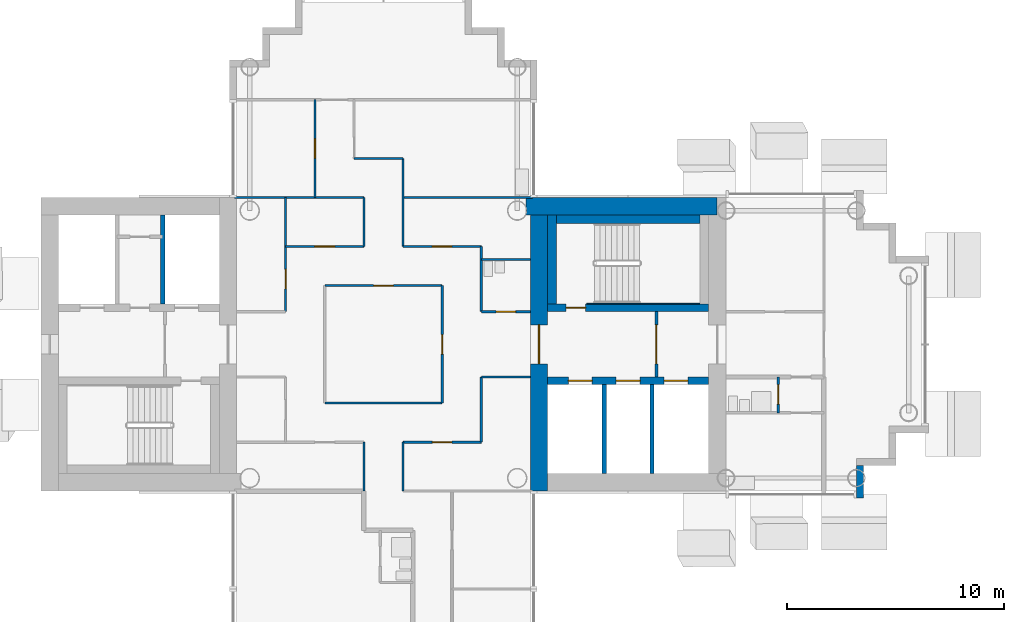
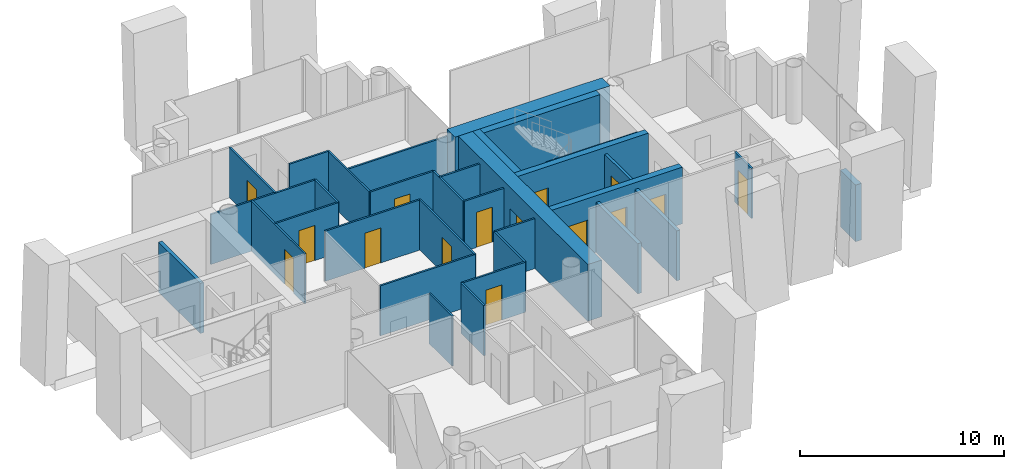
# One storey, part 7 of 18: 33 walls, 15 doors, 15 openings.
"""IFC4 building model written with IfcOpenShell, lengths in metres."""

from ifc_helpers import new_model, si_unit, direction, frame, frame_2d, origin, place, context, subcontext, project, spatial, rectangle, extrude, material, layer, layer_set, type_object, element, fill, save


model = new_model("IFC4")

# Units and contexts
model_context = context("Model", 3, precision=1e-05, world=origin(), true_north=direction((0.0, 1.0)))
body_context = subcontext(model_context, "Body", "Model", "MODEL_VIEW")
ifc_project = project(units=[si_unit("LENGTHUNIT", "METRE"), si_unit("AREAUNIT", "SQUARE_METRE"), si_unit("VOLUMEUNIT", "CUBIC_METRE"), si_unit("PLANEANGLEUNIT", "RADIAN"), si_unit("MASSUNIT", "GRAM", prefix="KILO")], contexts=[model_context])

# Site, building, storey
site_placement = place(None, origin())
site = spatial("IfcSite", under=ifc_project, at=site_placement, CompositionType="ELEMENT")
building_placement = place(site_placement, origin())
building = spatial("IfcBuilding", under=site, at=building_placement, Name="Ipe Terrace Towers", CompositionType="ELEMENT")
storey_placement = place(building_placement, frame((0.0, 0.0, 171.10009765625)))
storey = spatial("IfcBuildingStorey", under=building, at=storey_placement, Name="L47", CompositionType="ELEMENT", Elevation=171.10009765625)

# Wall
ifc_material_1 = material(Name="Concrete C40/50 with buff precast cladding", Category="concrete")
ifc_layer_1 = layer(ifc_material_1, 0.320068359375)
ifc_layer_set_1 = layer_set([ifc_layer_1], Name="BUFF CLADDING WALL 320")
wall_type_1 = type_object("IfcWallType", Name="BUFF CLADDING WALL 320", PredefinedType="STANDARD", material=ifc_layer_set_1)
wall_1_placement = place(storey_placement, frame((-14.090087890625, -7.070068359375, -0.300048828125), z_axis=(0.0, 0.0, 1.0), x_axis=(0.0, 1.0, 0.0)))
element("IfcWall", 1, at=wall_1_placement, inside=storey, type_object=wall_type_1, Name="T1-W-L47-17a wall", PredefinedType="STANDARD", context=body_context, shape_type="SweptSolid", body=[
    extrude(rectangle(XDim=1.5, YDim=0.320068359375, at=frame_2d((0.75, 0.0))), origin(), (0.0, 0.0, 1.0), 3.39990234375),
])

# Wall, opening, door
ifc_material_2 = material(Name="Gypsum board partition", Category="plasterboard")
ifc_layer_2 = layer(ifc_material_2, 0.10009765625)
ifc_layer_set_2 = layer_set([ifc_layer_2], Name="Gypsum board partition 100 mm")
wall_type_2 = type_object("IfcWallType", Name="Gypsum board partition 100 mm", PredefinedType="PARTITIONING", material=ifc_layer_set_2)
wall_2_placement = place(storey_placement, frame((-40.5, 1.5, 0.0), z_axis=(0.0, 0.0, 1.0), x_axis=(0.0, 1.0, 0.0)))
wall_2 = element("IfcWall", 2, at=wall_2_placement, inside=storey, type_object=wall_type_2, Name="Gypsum board partition T1 L47 W02", PredefinedType="PARTITIONING", context=body_context, shape_type="SweptSolid", body=[
    extrude(rectangle(XDim=5.25, YDim=0.10009765625, at=frame_2d((2.625, 0.0))), origin(), (0.0, 0.0, 1.0), 3.0),
])
opening_1_placement = place(wall_2_placement, frame((1.050048828125, 0.0, 0.0)))
opening_1 = element("IfcOpeningElement", 3, at=opening_1_placement, cuts=wall_2, Name="Opening T1-Z3F-06", PredefinedType="OPENING", context=body_context, shape_type="SweptSolid", body=[
    extrude(rectangle(XDim=0.89990234375, YDim=2.10009765625, at=frame_2d((0.449951171875, 1.050048828125))), frame((0.0, 0.06005859375, 0.0), z_axis=(0.0, -1.0, 0.0), x_axis=(1.0, 0.0, 0.0)), (0.0, 0.0, 1.0), 0.1201171875),
])
ifc_material_3 = material(Name="Timber door leaf", Category="wood")
door_type_1 = type_object("IfcDoorType", Name="Lounge door 900 x 2100", OperationType="NOTDEFINED", PredefinedType="DOOR", material=ifc_material_3)
door_1_placement = place(opening_1_placement, origin())
door_1 = element("IfcDoor", 4, at=door_1_placement, inside=storey, type_object=door_type_1, Name="Lounge door T1-Z3F-06", OperationType="SINGLE_SWING_RIGHT", OverallHeight=2.10009765625, OverallWidth=0.89990234375, PredefinedType="DOOR", context=body_context, shape_type="SweptSolid", body=[
    extrude(rectangle(XDim=0.89990234375, YDim=2.10009765625, at=frame_2d((0.449951171875, 1.050048828125))), frame((0.0, 0.02490234375, 0.0), z_axis=(0.0, -1.0, 0.0), x_axis=(1.0, 0.0, 0.0)), (0.0, 0.0, 1.0), 0.050048828125),
])
fill(opening_1, door_1)

wall_3_placement = place(storey_placement, frame((-39.14990234375, 6.75, 0.0), z_axis=(0.0, 0.0, 1.0), x_axis=(0.0, 1.0, 0.0)))
wall_3 = element("IfcWall", 5, at=wall_3_placement, inside=storey, type_object=wall_type_2, Name="Gypsum board partition T1 L47 W03", PredefinedType="PARTITIONING", context=body_context, shape_type="SweptSolid", body=[
    extrude(rectangle(XDim=4.5, YDim=0.10009765625, at=frame_2d((2.25, 0.0))), origin(), (0.0, 0.0, 1.0), 3.0),
])
opening_2_placement = place(wall_3_placement, frame((1.800048828125, 0.0, 0.0)))
opening_2 = element("IfcOpeningElement", 6, at=opening_2_placement, cuts=wall_3, Name="Opening T1-Z3F-10", PredefinedType="OPENING", context=body_context, shape_type="SweptSolid", body=[
    extrude(rectangle(XDim=0.89990234375, YDim=2.10009765625, at=frame_2d((0.449951171875, 1.050048828125))), frame((0.0, 0.06005859375, 0.0), z_axis=(0.0, -1.0, 0.0), x_axis=(1.0, 0.0, 0.0)), (0.0, 0.0, 1.0), 0.1201171875),
])
door_2_placement = place(opening_2_placement, origin())
door_2 = element("IfcDoor", 7, at=door_2_placement, inside=storey, type_object=door_type_1, Name="Lounge door T1-Z3F-10", OperationType="SINGLE_SWING_LEFT", OverallHeight=2.10009765625, OverallWidth=0.89990234375, PredefinedType="DOOR", context=body_context, shape_type="SweptSolid", body=[
    extrude(rectangle(XDim=0.89990234375, YDim=2.10009765625, at=frame_2d((0.449951171875, 1.050048828125))), frame((0.0, 0.02490234375, 0.0), z_axis=(0.0, -1.0, 0.0), x_axis=(1.0, 0.0, 0.0)), (0.0, 0.0, 1.0), 0.050048828125),
])
fill(opening_2, door_2)

# Walls
for number, where, z_axis, x_axis, name in (
    (8, (-36.89990234375, -6.75, 0.0), (0.0, 0.0, 1.0), (0.0, 1.0, 0.0), "Gypsum board partition T1 L47 W06"),
    (9, (-36.89990234375, 4.5, 0.0), (0.0, 0.0, 1.0), (0.0, 1.0, 0.0), "Gypsum board partition T1 L47 W07"),
    (10, (-35.10009765625, -6.75, 0.0), (0.0, 0.0, 1.0), (0.0, 1.0, 0.0), "Gypsum board partition T1 L47 W10"),
):
    element("IfcWall", number, at=place(storey_placement, frame(where, z_axis=z_axis, x_axis=x_axis)), inside=storey, type_object=wall_type_2, Name=name, PredefinedType="PARTITIONING", context=body_context, shape_type="SweptSolid", body=[
        extrude(rectangle(XDim=2.25, YDim=0.10009765625, at=frame_2d((1.125, 0.0))), origin(), (0.0, 0.0, 1.0), 3.0),
    ])
wall_4_placement = place(storey_placement, frame((-35.10009765625, 4.5, 0.0), z_axis=(0.0, 0.0, 1.0), x_axis=(0.0, 1.0, 0.0)))
element("IfcWall", 11, at=wall_4_placement, inside=storey, type_object=wall_type_2, Name="Gypsum board partition T1 L47 W11", PredefinedType="PARTITIONING", context=body_context, shape_type="SweptSolid", body=[
    extrude(rectangle(XDim=4.050048828125, YDim=0.10009765625, at=frame_2d((2.02490234375, 0.0))), origin(), (0.0, 0.0, 1.0), 3.0),
])

# Wall, opening, door
wall_5_placement = place(storey_placement, frame((-33.300048828125, -2.699951171875, 0.0), z_axis=(0.0, 0.0, 1.0), x_axis=(0.0, 1.0, 0.0)))
wall_5 = element("IfcWall", 12, at=wall_5_placement, inside=storey, type_object=wall_type_2, Name="Gypsum board partition T1 L47 W13", PredefinedType="PARTITIONING", context=body_context, shape_type="SweptSolid", body=[
    extrude(rectangle(XDim=5.39990234375, YDim=0.10009765625, at=frame_2d((2.699951171875, 0.0))), origin(), (0.0, 0.0, 1.0), 3.0),
])
opening_3_placement = place(wall_5_placement, frame((2.25, 0.0, 0.0)))
opening_3 = element("IfcOpeningElement", 13, at=opening_3_placement, cuts=wall_5, Name="Opening T1-Z3F-02", PredefinedType="OPENING", context=body_context, shape_type="SweptSolid", body=[
    extrude(rectangle(XDim=0.89990234375, YDim=2.10009765625, at=frame_2d((0.449951171875, 1.050048828125))), frame((0.0, 0.06005859375, 0.0), z_axis=(0.0, -1.0, 0.0), x_axis=(1.0, 0.0, 0.0)), (0.0, 0.0, 1.0), 0.1201171875),
])
door_3_placement = place(opening_3_placement, origin())
door_3 = element("IfcDoor", 14, at=door_3_placement, inside=storey, type_object=door_type_1, Name="Lounge door T1-Z3F-02", OperationType="SINGLE_SWING_LEFT", OverallHeight=2.10009765625, OverallWidth=0.89990234375, PredefinedType="DOOR", context=body_context, shape_type="SweptSolid", body=[
    extrude(rectangle(XDim=0.89990234375, YDim=2.10009765625, at=frame_2d((0.449951171875, 1.050048828125))), frame((0.0, 0.02490234375, 0.0), z_axis=(0.0, -1.0, 0.0), x_axis=(1.0, 0.0, 0.0)), (0.0, 0.0, 1.0), 0.050048828125),
])
fill(opening_3, door_3)

# Walls
for number, where, z_axis, x_axis, name in (
    (15, (-31.5, -4.5, 0.0), (0.0, 0.0, 1.0), (0.0, 1.0, 0.0), "Gypsum board partition T1 L47 W15"),
    (16, (-31.5, 1.5, 0.0), (0.0, 0.0, 1.0), (0.0, 1.0, 0.0), "Gypsum board partition T1 L47 W16"),
):
    element("IfcWall", number, at=place(storey_placement, frame(where, z_axis=z_axis, x_axis=x_axis)), inside=storey, type_object=wall_type_2, Name=name, PredefinedType="PARTITIONING", context=body_context, shape_type="SweptSolid", body=[
        extrude(rectangle(XDim=3.0, YDim=0.10009765625, at=frame_2d((1.5, 0.0))), origin(), (0.0, 0.0, 1.0), 3.0),
    ])

# Wall, opening, door
wall_6_placement = place(storey_placement, frame((-17.85009765625, -3.14990234375, 0.0), z_axis=(0.0, 0.0, 1.0), x_axis=(0.0, 1.0, 0.0)))
wall_6 = element("IfcWall", 17, at=wall_6_placement, inside=storey, type_object=wall_type_2, Name="Gypsum board partition T1 L47 W17", PredefinedType="PARTITIONING", context=body_context, shape_type="SweptSolid", body=[
    extrude(rectangle(XDim=1.64990234375, YDim=0.10009765625, at=frame_2d((0.824951171875, 0.0))), origin(), (0.0, 0.0, 1.0), 3.0),
])
opening_4_placement = place(wall_6_placement, frame((0.39990234375, 0.0, 0.0)))
opening_4 = element("IfcOpeningElement", 18, at=opening_4_placement, cuts=wall_6, Name="Opening T1-Z3F-21", PredefinedType="OPENING", context=body_context, shape_type="SweptSolid", body=[
    extrude(rectangle(XDim=0.89990234375, YDim=2.10009765625, at=frame_2d((0.449951171875, 1.050048828125))), frame((0.0, 0.06005859375, 0.0), z_axis=(0.0, -1.0, 0.0), x_axis=(1.0, 0.0, 0.0)), (0.0, 0.0, 1.0), 0.1201171875),
])
ifc_material_4 = material(Name="Timber door leaf", Category="wood")
door_type_2 = type_object("IfcDoorType", Name="Bathroom door 900 x 2100", OperationType="NOTDEFINED", PredefinedType="DOOR", material=ifc_material_4)
door_4_placement = place(opening_4_placement, origin())
door_4 = element("IfcDoor", 19, at=door_4_placement, inside=storey, type_object=door_type_2, Name="Bathroom door T1-Z3F-21", OperationType="SINGLE_SWING_LEFT", OverallHeight=2.10009765625, OverallWidth=0.89990234375, PredefinedType="DOOR", context=body_context, shape_type="SweptSolid", body=[
    extrude(rectangle(XDim=0.89990234375, YDim=2.10009765625, at=frame_2d((0.449951171875, 1.050048828125))), frame((0.0, 0.02490234375, 0.0), z_axis=(0.0, -1.0, 0.0), x_axis=(1.0, 0.0, 0.0)), (0.0, 0.0, 1.0), 0.050048828125),
])
fill(opening_4, door_4)

wall_7_placement = place(storey_placement, frame((-35.10009765625, -4.5, 0.0), z_axis=(0.0, 0.0, 1.0), x_axis=(1.0, 0.0, 0.0)))
wall_7 = element("IfcWall", 20, at=wall_7_placement, inside=storey, type_object=wall_type_2, Name="Gypsum board partition T1 L47 W28", PredefinedType="PARTITIONING", context=body_context, shape_type="SweptSolid", body=[
    extrude(rectangle(XDim=3.60009765625, YDim=0.10009765625, at=frame_2d((1.800048828125, 0.0))), origin(), (0.0, 0.0, 1.0), 3.0),
])
opening_5_placement = place(wall_7_placement, frame((1.35009765625, 0.0, 0.0)))
opening_5 = element("IfcOpeningElement", 21, at=opening_5_placement, cuts=wall_7, Name="Opening T1-Z3F-09", PredefinedType="OPENING", context=body_context, shape_type="SweptSolid", body=[
    extrude(rectangle(XDim=0.89990234375, YDim=2.10009765625, at=frame_2d((0.449951171875, 1.050048828125))), frame((0.0, 0.06005859375, 0.0), z_axis=(0.0, -1.0, 0.0), x_axis=(1.0, 0.0, 0.0)), (0.0, 0.0, 1.0), 0.1201171875),
])
door_5_placement = place(opening_5_placement, origin())
door_5 = element("IfcDoor", 22, at=door_5_placement, inside=storey, type_object=door_type_1, Name="Lounge door T1-Z3F-09", OperationType="SINGLE_SWING_LEFT", OverallHeight=2.10009765625, OverallWidth=0.89990234375, PredefinedType="DOOR", context=body_context, shape_type="SweptSolid", body=[
    extrude(rectangle(XDim=0.89990234375, YDim=2.10009765625, at=frame_2d((0.449951171875, 1.050048828125))), frame((0.0, 0.02490234375, 0.0), z_axis=(0.0, -1.0, 0.0), x_axis=(1.0, 0.0, 0.0)), (0.0, 0.0, 1.0), 0.050048828125),
])
fill(opening_5, door_5)

# Walls
wall_8_placement = place(storey_placement, frame((-38.699951171875, -2.699951171875, 0.0), z_axis=(0.0, 0.0, 1.0), x_axis=(1.0, 0.0, 0.0)))
element("IfcWall", 23, at=wall_8_placement, inside=storey, type_object=wall_type_2, Name="Gypsum board partition T1 L47 W30", PredefinedType="PARTITIONING", context=body_context, shape_type="SweptSolid", body=[
    extrude(rectangle(XDim=5.39990234375, YDim=0.10009765625, at=frame_2d((2.699951171875, 0.0))), origin(), (0.0, 0.0, 1.0), 3.0),
])
wall_9_placement = place(storey_placement, frame((-31.5, -1.5, 0.0), z_axis=(0.0, 0.0, 1.0), x_axis=(1.0, 0.0, 0.0)))
element("IfcWall", 24, at=wall_9_placement, inside=storey, type_object=wall_type_2, Name="Gypsum board partition T1 L47 W32", PredefinedType="PARTITIONING", context=body_context, shape_type="SweptSolid", body=[
    extrude(rectangle(XDim=2.25, YDim=0.10009765625, at=frame_2d((1.125, 0.0))), origin(), (0.0, 0.0, 1.0), 3.0),
])

# Wall, opening, door
wall_10_placement = place(storey_placement, frame((-31.5, 1.5, 0.0), z_axis=(0.0, 0.0, 1.0), x_axis=(1.0, 0.0, 0.0)))
wall_10 = element("IfcWall", 25, at=wall_10_placement, inside=storey, type_object=wall_type_2, Name="Gypsum board partition T1 L47 W35", PredefinedType="PARTITIONING", context=body_context, shape_type="SweptSolid", body=[
    extrude(rectangle(XDim=2.25, YDim=0.10009765625, at=frame_2d((1.125, 0.0))), origin(), (0.0, 0.0, 1.0), 3.0),
])
opening_6_placement = place(wall_10_placement, frame((0.675048828125, 0.0, 0.0)))
opening_6 = element("IfcOpeningElement", 26, at=opening_6_placement, cuts=wall_10, Name="Opening T1-Z3F-03", PredefinedType="OPENING", context=body_context, shape_type="SweptSolid", body=[
    extrude(rectangle(XDim=0.89990234375, YDim=2.10009765625, at=frame_2d((0.449951171875, 1.050048828125))), frame((0.0, 0.06005859375, 0.0), z_axis=(0.0, -1.0, 0.0), x_axis=(1.0, 0.0, 0.0)), (0.0, 0.0, 1.0), 0.1201171875),
])
door_6_placement = place(opening_6_placement, origin())
door_6 = element("IfcDoor", 27, at=door_6_placement, inside=storey, type_object=door_type_2, Name="Bathroom door T1-Z3F-03", OperationType="SINGLE_SWING_LEFT", OverallHeight=2.10009765625, OverallWidth=0.89990234375, PredefinedType="DOOR", context=body_context, shape_type="SweptSolid", body=[
    extrude(rectangle(XDim=0.89990234375, YDim=2.10009765625, at=frame_2d((0.449951171875, 1.050048828125))), frame((0.0, 0.02490234375, 0.0), z_axis=(0.0, -1.0, 0.0), x_axis=(1.0, 0.0, 0.0)), (0.0, 0.0, 1.0), 0.050048828125),
])
fill(opening_6, door_6)

wall_11_placement = place(storey_placement, frame((-38.699951171875, 2.699951171875, 0.0), z_axis=(0.0, 0.0, 1.0), x_axis=(1.0, 0.0, 0.0)))
wall_11 = element("IfcWall", 28, at=wall_11_placement, inside=storey, type_object=wall_type_2, Name="Gypsum board partition T1 L47 W37", PredefinedType="PARTITIONING", context=body_context, shape_type="SweptSolid", body=[
    extrude(rectangle(XDim=5.39990234375, YDim=0.10009765625, at=frame_2d((2.699951171875, 0.0))), origin(), (0.0, 0.0, 1.0), 3.0),
])
opening_7_placement = place(wall_11_placement, frame((2.25, 0.0, 0.0)))
opening_7 = element("IfcOpeningElement", 29, at=opening_7_placement, cuts=wall_11, Name="Opening T1-Z3F-01", PredefinedType="OPENING", context=body_context, shape_type="SweptSolid", body=[
    extrude(rectangle(XDim=0.89990234375, YDim=2.10009765625, at=frame_2d((0.449951171875, 1.050048828125))), frame((0.0, 0.06005859375, 0.0), z_axis=(0.0, -1.0, 0.0), x_axis=(1.0, 0.0, 0.0)), (0.0, 0.0, 1.0), 0.1201171875),
])
door_7_placement = place(opening_7_placement, origin())
door_7 = element("IfcDoor", 30, at=door_7_placement, inside=storey, type_object=door_type_1, Name="Lounge door T1-Z3F-01", OperationType="SINGLE_SWING_RIGHT", OverallHeight=2.10009765625, OverallWidth=0.89990234375, PredefinedType="DOOR", context=body_context, shape_type="SweptSolid", body=[
    extrude(rectangle(XDim=0.89990234375, YDim=2.10009765625, at=frame_2d((0.449951171875, 1.050048828125))), frame((0.0, 0.02490234375, 0.0), z_axis=(0.0, -1.0, 0.0), x_axis=(1.0, 0.0, 0.0)), (0.0, 0.0, 1.0), 0.050048828125),
])
fill(opening_7, door_7)

# Wall
wall_12_placement = place(storey_placement, frame((-31.5, 3.89990234375, 0.0), z_axis=(0.0, 0.0, 1.0), x_axis=(1.0, 0.0, 0.0)))
element("IfcWall", 31, at=wall_12_placement, inside=storey, type_object=wall_type_2, Name="Gypsum board partition T1 L47 W38", PredefinedType="PARTITIONING", context=body_context, shape_type="SweptSolid", body=[
    extrude(rectangle(XDim=2.25, YDim=0.10009765625, at=frame_2d((1.125, 0.0))), origin(), (0.0, 0.0, 1.0), 3.0),
])

# Wall, opening, door
wall_13_placement = place(storey_placement, frame((-40.5, 4.5, 0.0), z_axis=(0.0, 0.0, 1.0), x_axis=(1.0, 0.0, 0.0)))
wall_13 = element("IfcWall", 32, at=wall_13_placement, inside=storey, type_object=wall_type_2, Name="Gypsum board partition T1 L47 W39", PredefinedType="PARTITIONING", context=body_context, shape_type="SweptSolid", body=[
    extrude(rectangle(XDim=3.60009765625, YDim=0.10009765625, at=frame_2d((1.800048828125, 0.0))), origin(), (0.0, 0.0, 1.0), 3.0),
])
opening_8_placement = place(wall_13_placement, frame((1.35009765625, 0.0, 0.0)))
opening_8 = element("IfcOpeningElement", 33, at=opening_8_placement, cuts=wall_13, Name="Opening T1-Z3F-05", PredefinedType="OPENING", context=body_context, shape_type="SweptSolid", body=[
    extrude(rectangle(XDim=0.89990234375, YDim=2.10009765625, at=frame_2d((0.449951171875, 1.050048828125))), frame((0.0, 0.06005859375, 0.0), z_axis=(0.0, -1.0, 0.0), x_axis=(1.0, 0.0, 0.0)), (0.0, 0.0, 1.0), 0.1201171875),
])
door_8_placement = place(opening_8_placement, origin())
door_8 = element("IfcDoor", 34, at=door_8_placement, inside=storey, type_object=door_type_1, Name="Lounge door T1-Z3F-05", OperationType="SINGLE_SWING_RIGHT", OverallHeight=2.10009765625, OverallWidth=0.89990234375, PredefinedType="DOOR", context=body_context, shape_type="SweptSolid", body=[
    extrude(rectangle(XDim=0.89990234375, YDim=2.10009765625, at=frame_2d((0.449951171875, 1.050048828125))), frame((0.0, 0.02490234375, 0.0), z_axis=(0.0, -1.0, 0.0), x_axis=(1.0, 0.0, 0.0)), (0.0, 0.0, 1.0), 0.050048828125),
])
fill(opening_8, door_8)

wall_14_placement = place(storey_placement, frame((-35.10009765625, 4.5, 0.0), z_axis=(0.0, 0.0, 1.0), x_axis=(1.0, 0.0, 0.0)))
wall_14 = element("IfcWall", 35, at=wall_14_placement, inside=storey, type_object=wall_type_2, Name="Gypsum board partition T1 L47 W40", PredefinedType="PARTITIONING", context=body_context, shape_type="SweptSolid", body=[
    extrude(rectangle(XDim=3.60009765625, YDim=0.10009765625, at=frame_2d((1.800048828125, 0.0))), origin(), (0.0, 0.0, 1.0), 3.0),
])
opening_9_placement = place(wall_14_placement, frame((1.35009765625, 0.0, 0.0)))
opening_9 = element("IfcOpeningElement", 36, at=opening_9_placement, cuts=wall_14, Name="Opening T1-Z3F-04", PredefinedType="OPENING", context=body_context, shape_type="SweptSolid", body=[
    extrude(rectangle(XDim=0.89990234375, YDim=2.10009765625, at=frame_2d((0.449951171875, 1.050048828125))), frame((0.0, 0.06005859375, 0.0), z_axis=(0.0, -1.0, 0.0), x_axis=(1.0, 0.0, 0.0)), (0.0, 0.0, 1.0), 0.1201171875),
])
door_9_placement = place(opening_9_placement, origin())
door_9 = element("IfcDoor", 37, at=door_9_placement, inside=storey, type_object=door_type_1, Name="Lounge door T1-Z3F-04", OperationType="SINGLE_SWING_LEFT", OverallHeight=2.10009765625, OverallWidth=0.89990234375, PredefinedType="DOOR", context=body_context, shape_type="SweptSolid", body=[
    extrude(rectangle(XDim=0.89990234375, YDim=2.10009765625, at=frame_2d((0.449951171875, 1.050048828125))), frame((0.0, 0.02490234375, 0.0), z_axis=(0.0, -1.0, 0.0), x_axis=(1.0, 0.0, 0.0)), (0.0, 0.0, 1.0), 0.050048828125),
])
fill(opening_9, door_9)

# Walls
for number, where, z_axis, x_axis, name in (
    (38, (-42.85009765625, 6.75, 0.0), (0.0, 0.0, 1.0), (1.0, 0.0, 0.0), "Gypsum board partition T1 L47 W41"),
    (39, (-35.10009765625, 6.75, 0.0), (0.0, 0.0, 1.0), (1.0, 0.0, 0.0), "Gypsum board partition T1 L47 W42"),
):
    element("IfcWall", number, at=place(storey_placement, frame(where, z_axis=z_axis, x_axis=x_axis)), inside=storey, type_object=wall_type_2, Name=name, PredefinedType="PARTITIONING", context=body_context, shape_type="SweptSolid", body=[
        extrude(rectangle(XDim=5.9501953125, YDim=0.10009765625, at=frame_2d((2.97509765625, 0.0))), origin(), (0.0, 0.0, 1.0), 3.0),
    ])
wall_15_placement = place(storey_placement, frame((-37.35009765625, 8.550048828125, 0.0), z_axis=(0.0, 0.0, 1.0), x_axis=(1.0, 0.0, 0.0)))
element("IfcWall", 40, at=wall_15_placement, inside=storey, type_object=wall_type_2, Name="Gypsum board partition T1 L47 W43", PredefinedType="PARTITIONING", context=body_context, shape_type="SweptSolid", body=[
    extrude(rectangle(XDim=2.25, YDim=0.10009765625, at=frame_2d((1.125, 0.0))), origin(), (0.0, 0.0, 1.0), 3.0),
])

# Wall, opening, door
ifc_material_5 = material(Name="Gypsum board partition", Category="plasterboard")
ifc_layer_3 = layer(ifc_material_5, 0.14990234375)
ifc_layer_set_3 = layer_set([ifc_layer_3], Name="Gypsum board partition 150 mm")
wall_type_3 = type_object("IfcWallType", Name="Gypsum board partition 150 mm", PredefinedType="PARTITIONING", material=ifc_layer_set_3)
wall_16_placement = place(storey_placement, frame((-23.449951171875, -1.5, 0.0), z_axis=(0.0, 0.0, 1.0), x_axis=(0.0, 1.0, 0.0)))
wall_16 = element("IfcWall", 41, at=wall_16_placement, inside=storey, type_object=wall_type_3, Name="Gypsum board partition T1 L47 t1c1-lobby-wall", PredefinedType="PARTITIONING", context=body_context, shape_type="SweptSolid", body=[
    extrude(rectangle(XDim=3.0, YDim=0.14990234375, at=frame_2d((1.5, 0.0))), origin(), (0.0, 0.0, 1.0), 3.0),
])
opening_10_placement = place(wall_16_placement, frame((0.60009765625, 0.0, 0.0)))
opening_10 = element("IfcOpeningElement", 42, at=opening_10_placement, cuts=wall_16, Name="Opening T1C1-VD", PredefinedType="OPENING", context=body_context, shape_type="SweptSolid", body=[
    extrude(rectangle(XDim=1.800048828125, YDim=2.10009765625, at=frame_2d((0.89990234375, 1.050048828125))), frame((0.0, 0.0849609375, 0.0), z_axis=(0.0, -1.0, 0.0), x_axis=(1.0, 0.0, 0.0)), (0.0, 0.0, 1.0), 0.169921875),
])
ifc_material_6 = material(Name="Fire-rated timber door leaf", Category="wood")
door_type_3 = type_object("IfcDoorType", Name="Lobby door 1800 x 2100 FD60", OperationType="NOTDEFINED", PredefinedType="DOOR", material=ifc_material_6)
door_10_placement = place(opening_10_placement, origin())
door_10 = element("IfcDoor", 43, at=door_10_placement, inside=storey, type_object=door_type_3, Name="Lobby door T1C1-VD", OperationType="SINGLE_SWING_LEFT", OverallHeight=2.10009765625, OverallWidth=1.800048828125, PredefinedType="DOOR", context=body_context, shape_type="SweptSolid", body=[
    extrude(rectangle(XDim=1.800048828125, YDim=2.10009765625, at=frame_2d((0.89990234375, 1.050048828125))), frame((0.0, 0.02490234375, 0.0), z_axis=(0.0, -1.0, 0.0), x_axis=(1.0, 0.0, 0.0)), (0.0, 0.0, 1.0), 0.050048828125),
])
fill(opening_10, door_10)

# Walls
ifc_material_7 = material(Name="Gypsum board party wall", Category="plasterboard")
ifc_layer_4 = layer(ifc_material_7, 0.199951171875)
ifc_layer_set_4 = layer_set([ifc_layer_4], Name="Gypsum board party wall 200 mm")
wall_type_4 = type_object("IfcWallType", Name="Gypsum board party wall 200 mm", PredefinedType="SOLIDWALL", material=ifc_layer_set_4)
for number, where, z_axis, x_axis, name in (
    (44, (-25.85009765625, -5.949951171875, 0.0), (0.0, 0.0, 1.0), (0.0, 1.0, 0.0), "Gypsum board party wall T1 L47 t1c1-shaft-div1"),
    (45, (-23.64990234375, -5.949951171875, 0.0), (0.0, 0.0, 1.0), (0.0, 1.0, 0.0), "Gypsum board party wall T1 L47 t1c1-shaft-div2"),
    (46, (-46.14990234375, 5.949951171875, 0.0), (0.0, 0.0, 1.0), (0.0, -1.0, 0.0), "Gypsum board party wall T1 L47 t1c2-shaft-div1"),
):
    element("IfcWall", number, at=place(storey_placement, frame(where, z_axis=z_axis, x_axis=x_axis)), inside=storey, type_object=wall_type_4, Name=name, PredefinedType="SOLIDWALL", context=body_context, shape_type="SweptSolid", body=[
        extrude(rectangle(XDim=4.099853515625, YDim=0.199951171875, at=frame_2d((2.0498046875, 0.0))), origin(), (0.0, 0.0, 1.0), 3.0),
    ])

# Wall, openings, doors
ifc_material_8 = material(Name="Concrete C50/60", Category="concrete")
ifc_layer_5 = layer(ifc_material_8, 0.35009765625)
ifc_layer_set_5 = layer_set([ifc_layer_5], Name="RW350 CORE SPINE WALL 350 C50-60")
wall_type_5 = type_object("IfcWallType", Name="RW350 CORE SPINE WALL 350 C50-60", PredefinedType="SHEAR", material=ifc_layer_set_5)
wall_17_placement = place(storey_placement, frame((-28.449951171875, -1.675048828125, 0.0), z_axis=(0.0, 0.0, 1.0), x_axis=(1.0, 0.0, 0.0)))
wall_17 = element("IfcWall", 47, at=wall_17_placement, inside=storey, type_object=wall_type_5, Name="Core spine wall T1-C1-Z3-SW1", PredefinedType="SHEAR", context=body_context, shape_type="SweptSolid", body=[
    extrude(rectangle(XDim=7.39990234375, YDim=0.35009765625, at=frame_2d((3.699951171875, 0.0))), origin(), (0.0, 0.0, 1.0), 3.39990234375),
])
opening_11_placement = place(wall_17_placement, frame((0.949951171875, 0.0, 0.0)))
opening_11 = element("IfcOpeningElement", 48, at=opening_11_placement, cuts=wall_17, Name="Opening T1C1-LD1", PredefinedType="OPENING", context=body_context, shape_type="SweptSolid", body=[
    extrude(rectangle(XDim=1.10009765625, YDim=2.10009765625, at=frame_2d((0.550048828125, 1.050048828125))), frame((0.0, 0.18505859375, 0.0), z_axis=(0.0, -1.0, 0.0), x_axis=(1.0, 0.0, 0.0)), (0.0, 0.0, 1.0), 0.3701171875),
])
opening_12_placement = place(wall_17_placement, frame((3.14990234375, 0.0, 0.0)))
opening_12 = element("IfcOpeningElement", 49, at=opening_12_placement, cuts=wall_17, Name="Opening T1C1-LD2", PredefinedType="OPENING", context=body_context, shape_type="SweptSolid", body=[
    extrude(rectangle(XDim=1.10009765625, YDim=2.10009765625, at=frame_2d((0.550048828125, 1.050048828125))), frame((0.0, 0.18505859375, 0.0), z_axis=(0.0, -1.0, 0.0), x_axis=(1.0, 0.0, 0.0)), (0.0, 0.0, 1.0), 0.3701171875),
])
opening_13_placement = place(wall_17_placement, frame((5.35009765625, 0.0, 0.0)))
opening_13 = element("IfcOpeningElement", 50, at=opening_13_placement, cuts=wall_17, Name="Opening T1C1-LD3", PredefinedType="OPENING", context=body_context, shape_type="SweptSolid", body=[
    extrude(rectangle(XDim=1.10009765625, YDim=2.10009765625, at=frame_2d((0.550048828125, 1.050048828125))), frame((0.0, 0.18505859375, 0.0), z_axis=(0.0, -1.0, 0.0), x_axis=(1.0, 0.0, 0.0)), (0.0, 0.0, 1.0), 0.3701171875),
])
ifc_material_9 = material(Name="Fire-rated timber door leaf", Category="wood")
door_type_4 = type_object("IfcDoorType", Name="Sliding door 1100 x 2100 FD60", OperationType="SLIDING_TO_LEFT", PredefinedType="DOOR", material=ifc_material_9)
door_11_placement = place(opening_11_placement, origin())
door_11 = element("IfcDoor", 51, at=door_11_placement, inside=storey, type_object=door_type_4, Name="Sliding door T1C1-LD1", OperationType="SLIDING_TO_LEFT", OverallHeight=2.10009765625, OverallWidth=1.10009765625, PredefinedType="DOOR", context=body_context, shape_type="SweptSolid", body=[
    extrude(rectangle(XDim=1.10009765625, YDim=2.10009765625, at=frame_2d((0.550048828125, 1.050048828125))), frame((0.0, 0.02490234375, 0.0), z_axis=(0.0, -1.0, 0.0), x_axis=(1.0, 0.0, 0.0)), (0.0, 0.0, 1.0), 0.050048828125),
])
fill(opening_11, door_11)
door_12_placement = place(opening_12_placement, origin())
door_12 = element("IfcDoor", 52, at=door_12_placement, inside=storey, type_object=door_type_4, Name="Sliding door T1C1-LD2", OperationType="SLIDING_TO_LEFT", OverallHeight=2.10009765625, OverallWidth=1.10009765625, PredefinedType="DOOR", context=body_context, shape_type="SweptSolid", body=[
    extrude(rectangle(XDim=1.10009765625, YDim=2.10009765625, at=frame_2d((0.550048828125, 1.050048828125))), frame((0.0, 0.02490234375, 0.0), z_axis=(0.0, -1.0, 0.0), x_axis=(1.0, 0.0, 0.0)), (0.0, 0.0, 1.0), 0.050048828125),
])
fill(opening_12, door_12)
door_13_placement = place(opening_13_placement, origin())
door_13 = element("IfcDoor", 53, at=door_13_placement, inside=storey, type_object=door_type_4, Name="Sliding door T1C1-LD3", OperationType="SLIDING_TO_LEFT", OverallHeight=2.10009765625, OverallWidth=1.10009765625, PredefinedType="DOOR", context=body_context, shape_type="SweptSolid", body=[
    extrude(rectangle(XDim=1.10009765625, YDim=2.10009765625, at=frame_2d((0.550048828125, 1.050048828125))), frame((0.0, 0.02490234375, 0.0), z_axis=(0.0, -1.0, 0.0), x_axis=(1.0, 0.0, 0.0)), (0.0, 0.0, 1.0), 0.050048828125),
])
fill(opening_13, door_13)

# Wall, opening, door
wall_18_placement = place(storey_placement, frame((-28.449951171875, 1.675048828125, 0.0), z_axis=(0.0, 0.0, 1.0), x_axis=(1.0, 0.0, 0.0)))
wall_18 = element("IfcWall", 54, at=wall_18_placement, inside=storey, type_object=wall_type_5, Name="Core spine wall T1-C1-Z3-SW2", PredefinedType="SHEAR", context=body_context, shape_type="SweptSolid", body=[
    extrude(rectangle(XDim=7.39990234375, YDim=0.35009765625, at=frame_2d((3.699951171875, 0.0))), origin(), (0.0, 0.0, 1.0), 3.39990234375),
])
opening_14_placement = place(wall_18_placement, frame((0.85009765625, 0.0, 0.0)))
opening_14 = element("IfcOpeningElement", 55, at=opening_14_placement, cuts=wall_18, Name="Opening T1C1-SD", PredefinedType="OPENING", context=body_context, shape_type="SweptSolid", body=[
    extrude(rectangle(XDim=0.89990234375, YDim=2.10009765625, at=frame_2d((0.449951171875, 1.050048828125))), frame((0.0, 0.18505859375, 0.0), z_axis=(0.0, -1.0, 0.0), x_axis=(1.0, 0.0, 0.0)), (0.0, 0.0, 1.0), 0.3701171875),
])
ifc_material_10 = material(Name="Fire-rated timber door leaf", Category="wood")
door_type_5 = type_object("IfcDoorType", Name="Stair door 900 x 2100 FD60", OperationType="NOTDEFINED", PredefinedType="DOOR", material=ifc_material_10)
door_14_placement = place(opening_14_placement, origin())
door_14 = element("IfcDoor", 56, at=door_14_placement, inside=storey, type_object=door_type_5, Name="Stair door T1C1-SD", OperationType="SINGLE_SWING_LEFT", OverallHeight=2.10009765625, OverallWidth=0.89990234375, PredefinedType="DOOR", context=body_context, shape_type="SweptSolid", body=[
    extrude(rectangle(XDim=0.89990234375, YDim=2.10009765625, at=frame_2d((0.449951171875, 1.050048828125))), frame((0.0, 0.02490234375, 0.0), z_axis=(0.0, -1.0, 0.0), x_axis=(1.0, 0.0, 0.0)), (0.0, 0.0, 1.0), 0.050048828125),
])
fill(opening_14, door_14)

# Walls
ifc_material_11 = material(Name="Concrete C50/60", Category="concrete")
ifc_layer_6 = layer(ifc_material_11, 0.39990234375)
ifc_layer_set_6 = layer_set([ifc_layer_6], Name="RW400 CORE INFILL WALL 400 C50-60")
wall_type_6 = type_object("IfcWallType", Name="RW400 CORE INFILL WALL 400 C50-60", PredefinedType="SHEAR", material=ifc_layer_set_6)
wall_19_placement = place(storey_placement, frame((-28.050048828125, 5.75, 0.0), z_axis=(0.0, 0.0, 1.0), x_axis=(1.0, 0.0, 0.0)))
element("IfcWall", 57, at=wall_19_placement, inside=storey, type_object=wall_type_6, Name="Core infill wall T1-C1-back", PredefinedType="SHEAR", context=body_context, shape_type="SweptSolid", body=[
    extrude(rectangle(XDim=6.60009765625, YDim=0.39990234375, at=frame_2d((3.300048828125, 0.0))), origin(), (0.0, 0.0, 1.0), 3.39990234375),
])
wall_20_placement = place(storey_placement, frame((-28.25, 1.85009765625, 0.0), z_axis=(0.0, 0.0, 1.0), x_axis=(0.0, 1.0, 0.0)))
element("IfcWall", 58, at=wall_20_placement, inside=storey, type_object=wall_type_6, Name="Core infill wall T1-C1-near", PredefinedType="SHEAR", context=body_context, shape_type="SweptSolid", body=[
    extrude(rectangle(XDim=4.099853515625, YDim=0.39990234375, at=frame_2d((2.0498046875, 0.0))), origin(), (0.0, 0.0, 1.0), 3.39990234375),
])
ifc_material_12 = material(Name="Concrete C50/60", Category="concrete")
ifc_layer_7 = layer(ifc_material_12, 0.050048828125)
ifc_layer_set_7 = layer_set([ifc_layer_7], Name="RW50 CORE INFILL WALL 50 C50-60")
wall_type_7 = type_object("IfcWallType", Name="RW50 CORE INFILL WALL 50 C50-60", PredefinedType="SHEAR", material=ifc_layer_set_7)
wall_21_placement = place(storey_placement, frame((-26.64990234375, 1.875, 0.0), z_axis=(0.0, 0.0, 1.0), x_axis=(1.0, 0.0, 0.0)))
element("IfcWall", 59, at=wall_21_placement, inside=storey, type_object=wall_type_7, Name="Core infill wall T1-C1-spine-b", PredefinedType="SHEAR", context=body_context, shape_type="SweptSolid", body=[
    extrude(rectangle(XDim=5.199951171875, YDim=0.050048828125, at=frame_2d((2.60009765625, 0.0))), origin(), (0.0, 0.0, 1.0), 3.39990234375),
])
ifc_material_13 = material(Name="Concrete C50/60", Category="concrete")
ifc_layer_8 = layer(ifc_material_13, 0.800048828125)
ifc_layer_set_8 = layer_set([ifc_layer_8], Name="RW800 CORE WALL 800 C50-60")
wall_type_8 = type_object("IfcWallType", Name="RW800 CORE WALL 800 C50-60", PredefinedType="SHEAR", material=ifc_layer_set_8)
wall_22_placement = place(storey_placement, frame((-20.652099609375, 6.35009765625, 0.0), z_axis=(0.0, 0.0, 1.0), x_axis=(-1.0, 0.0, 0.0)))
element("IfcWall", 60, at=wall_22_placement, inside=storey, type_object=wall_type_8, Name="Core wall T1-C1-Z3-W03", PredefinedType="SHEAR", context=body_context, shape_type="SweptSolid", body=[
    extrude(rectangle(XDim=8.7958984375, YDim=0.800048828125, at=frame_2d((4.39794921875, 0.0))), origin(), (0.0, 0.0, 1.0), 3.39990234375),
])

# Wall, opening, door
wall_23_placement = place(storey_placement, frame((-28.85009765625, 5.949951171875, 0.0), z_axis=(0.0, 0.0, 1.0), x_axis=(0.0, -1.0, 0.0)))
wall_23 = element("IfcWall", 61, at=wall_23_placement, inside=storey, type_object=wall_type_8, Name="Core wall T1-C1-Z3-W04", PredefinedType="SHEAR", context=body_context, shape_type="SweptSolid", body=[
    extrude(rectangle(XDim=12.699951171875, YDim=0.800048828125, at=frame_2d((6.35009765625, 0.0))), origin(), (0.0, 0.0, 1.0), 3.39990234375),
])
opening_15_placement = place(wall_23_placement, frame((5.050048828125, 0.0, 0.0)))
opening_15 = element("IfcOpeningElement", 62, at=opening_15_placement, cuts=wall_23, Name="Opening T1C1-ND", PredefinedType="OPENING", context=body_context, shape_type="SweptSolid", body=[
    extrude(rectangle(XDim=1.800048828125, YDim=2.10009765625, at=frame_2d((0.89990234375, 1.050048828125))), frame((0.0, 0.41015625, 0.0), z_axis=(0.0, -1.0, 0.0), x_axis=(1.0, 0.0, 0.0)), (0.0, 0.0, 1.0), 0.820068359375),
])
ifc_material_14 = material(Name="Fire-rated timber door leaf", Category="wood")
door_type_6 = type_object("IfcDoorType", Name="Fire door 1800 x 2100 FD30S", OperationType="NOTDEFINED", PredefinedType="DOOR", material=ifc_material_14)
door_15_placement = place(opening_15_placement, origin())
door_15 = element("IfcDoor", 63, at=door_15_placement, inside=storey, type_object=door_type_6, Name="Fire door T1C1-ND", OperationType="SINGLE_SWING_LEFT", OverallHeight=2.10009765625, OverallWidth=1.800048828125, PredefinedType="DOOR", context=body_context, shape_type="SweptSolid", body=[
    extrude(rectangle(XDim=1.800048828125, YDim=2.10009765625, at=frame_2d((0.89990234375, 1.050048828125))), frame((0.0, 0.02490234375, 0.0), z_axis=(0.0, -1.0, 0.0), x_axis=(1.0, 0.0, 0.0)), (0.0, 0.0, 1.0), 0.050048828125),
])
fill(opening_15, door_15)

save(model, "model.ifc")
